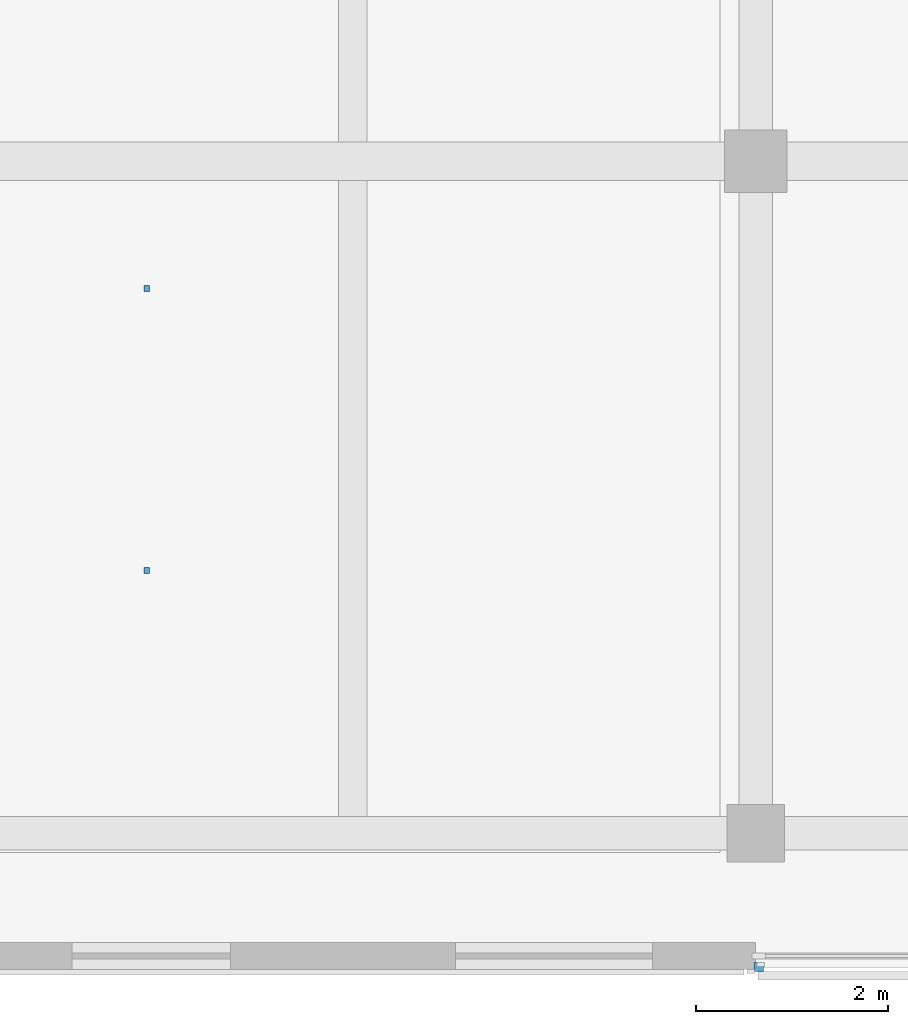
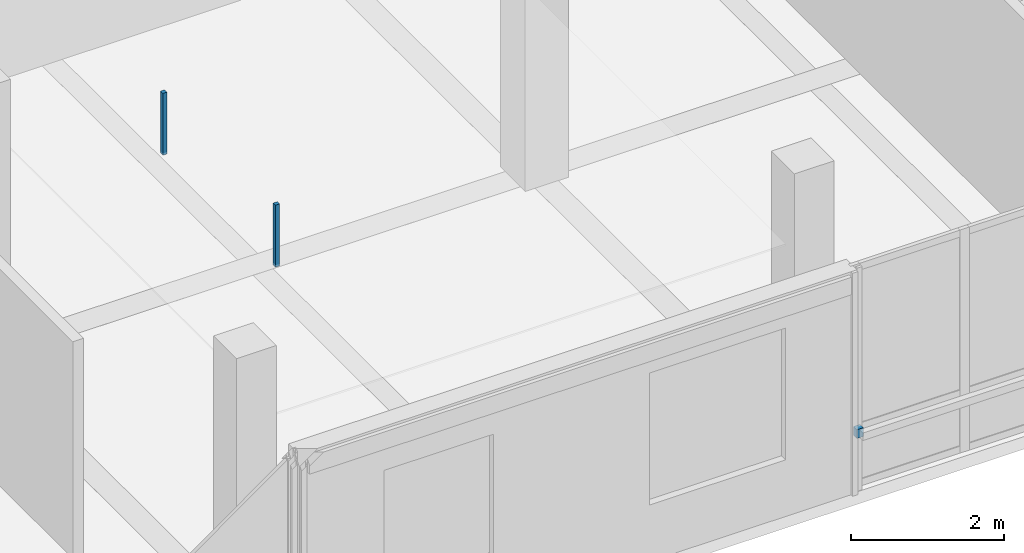
# One storey, part 15 of 30: 3 discrete accessories.
"""IFC4 building model written with IfcOpenShell, lengths in metres."""

from ifc_helpers import new_model, si_unit, direction, frame, origin, origin_2d, place, context, subcontext, project, spatial, rectangle, extrude, material, type_object, element, save


model = new_model("IFC4")

# Units and contexts
model_context = context("Model", 3, precision=1e-05, world=origin(), true_north=direction((0.0, 1.0)))
body_context = subcontext(model_context, "Body", "Model", "MODEL_VIEW")
ifc_project = project(units=[si_unit("LENGTHUNIT", "METRE"), si_unit("AREAUNIT", "SQUARE_METRE"), si_unit("VOLUMEUNIT", "CUBIC_METRE"), si_unit("PLANEANGLEUNIT", "RADIAN"), si_unit("MASSUNIT", "GRAM", prefix="KILO")], contexts=[model_context])

# Site, building, storey
site_placement = place(None, origin())
site = spatial("IfcSite", under=ifc_project, at=site_placement, CompositionType="ELEMENT")
building_placement = place(site_placement, origin())
building = spatial("IfcBuilding", under=site, at=building_placement, Name="Telukmera Botanical Conservatory", CompositionType="ELEMENT")
storey_placement = place(building_placement, frame((0.0, 0.0, 60.0)))
storey = spatial("IfcBuildingStorey", under=building, at=storey_placement, Name="L13", CompositionType="ELEMENT", Elevation=60.0)

# Discrete accessories
ifc_material = material(Name="Steel S355", Category="steel")
discrete_accessory_type_1 = type_object("IfcDiscreteAccessoryType", Name="ACC-CEIL-HGR", PredefinedType="BRACKET", material=ifc_material)
for number, where, z_axis, x_axis, name in (
    (1, (77.6552734375, 13.33740234375, 3.31982421875), (0.0, 0.0, 1.0), (1.0, 0.0, 0.0), "L13 Suspended Ceiling Hanger Rod 025-1"),
    (2, (77.6552734375, 16.27490234375, 3.31982421875), (0.0, 0.0, 1.0), (1.0, 0.0, 0.0), "L13 Suspended Ceiling Hanger Rod 025-2"),
):
    element("IfcDiscreteAccessory", number, at=place(storey_placement, frame(where, z_axis=z_axis, x_axis=x_axis)), inside=storey, type_object=discrete_accessory_type_1, Name=name, PredefinedType="BRACKET", context=body_context, shape_type="SweptSolid", body=[
        extrude(rectangle(XDim=0.06005859375, YDim=0.06005859375, at=origin_2d()), origin(), (0.0, 0.0, 1.0), 0.985107421875),
    ])
discrete_accessory_type_2 = type_object("IfcDiscreteAccessoryType", Name="Structural Steel Facade Outrigger Fin Bracket", PredefinedType="BRACKET", material=ifc_material)
discrete_accessory_placement = place(storey_placement, frame((84.031982421875, 9.205078125, 0.8798828125), z_axis=(0.0, 0.0, 1.0), x_axis=(1.0, 0.0, 0.0)))
element("IfcDiscreteAccessory", 3, at=discrete_accessory_placement, inside=storey, type_object=discrete_accessory_type_2, Name="Facade Outrigger Bracket V4:L13:S4 A", PredefinedType="BRACKET", context=body_context, shape_type="SweptSolid", body=[
    extrude(rectangle(XDim=0.10009765625, YDim=0.090087890625, at=origin_2d()), origin(), (0.0, 0.0, 1.0), 0.139892578125),
])

save(model, "model.ifc")
